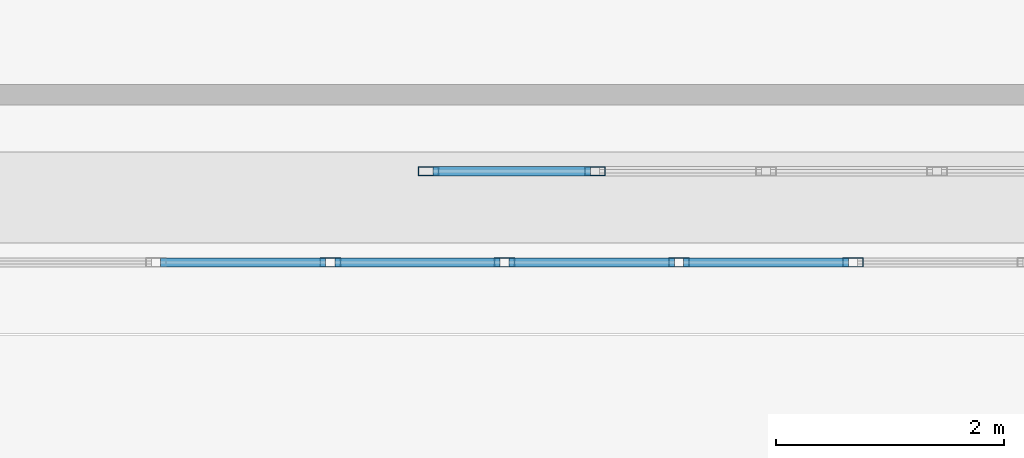
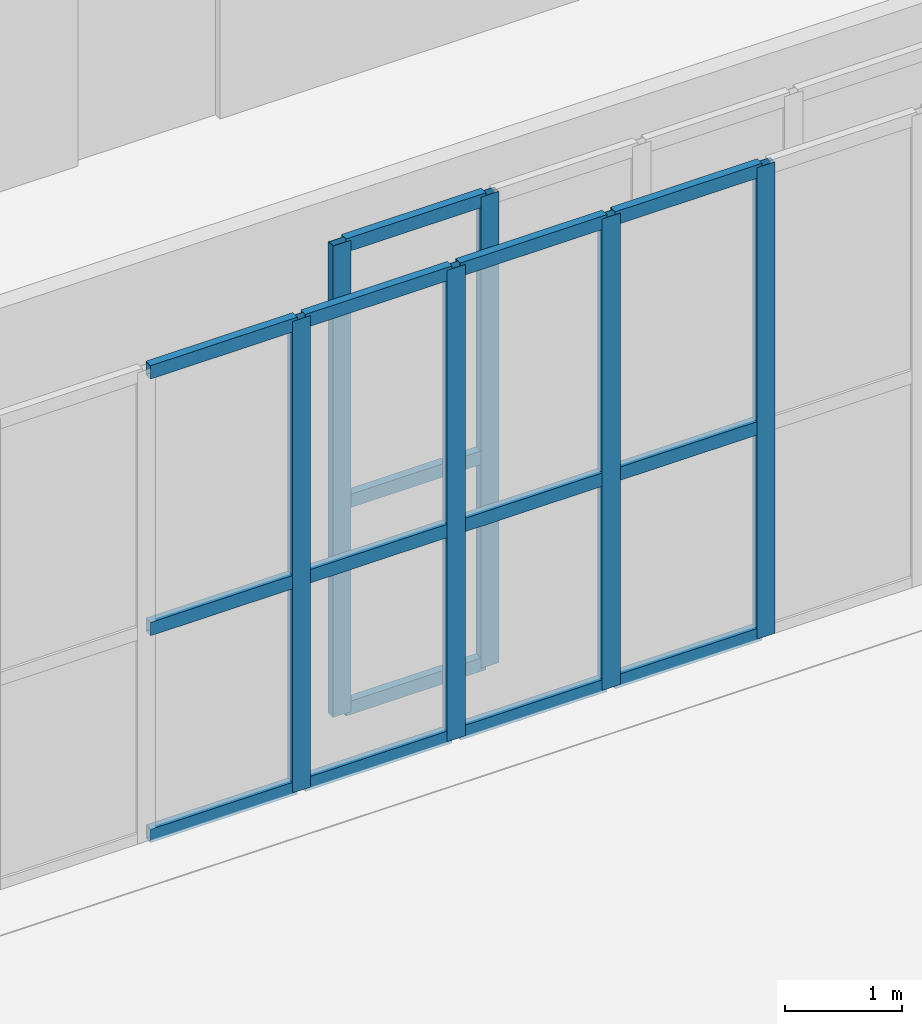
# One storey, part 4 of 30: 21 members, 2 elements without a shape of their own.
"""IFC4 building model written with IfcOpenShell, lengths in metres."""

from ifc_helpers import new_model, si_unit, direction, frame, origin, origin_2d, place, context, subcontext, project, spatial, hollow_rectangle, extrude, material, layer, layer_set, material_profile, profile_set, type_object, element, aggregate, save


model = new_model("IFC4")

# Units and contexts
model_context = context("Model", 3, precision=1e-05, world=origin(), true_north=direction((0.0, 1.0)))
body_context = subcontext(model_context, "Body", "Model", "MODEL_VIEW")
ifc_project = project(units=[si_unit("LENGTHUNIT", "METRE"), si_unit("AREAUNIT", "SQUARE_METRE"), si_unit("VOLUMEUNIT", "CUBIC_METRE"), si_unit("PLANEANGLEUNIT", "RADIAN"), si_unit("MASSUNIT", "GRAM", prefix="KILO")], contexts=[model_context])

# Site, building, storey
site_placement = place(None, origin())
site = spatial("IfcSite", under=ifc_project, at=site_placement, CompositionType="ELEMENT")
building_placement = place(site_placement, origin())
building = spatial("IfcBuilding", under=site, at=building_placement, Name="Solanera Arch Residences", CompositionType="ELEMENT")
storey_placement = place(building_placement, origin())
storey = spatial("IfcBuildingStorey", under=building, at=storey_placement, Name="L00", CompositionType="ELEMENT", Elevation=0.0)

# Curtain wall, members
ifc_material_1 = material(Name="Anodised Aluminium Alloy 6063-T6", Category="aluminium")
ifc_layer = layer(ifc_material_1, 0.179931640625)
ifc_layer_set = layer_set([ifc_layer], Name="Anodised Aluminium Alloy 6063-T6")
curtain_wall_type = type_object("IfcCurtainWallType", Name="CW-1 Arch Portal Unitised Glazing", PredefinedType="USERDEFINED", material=ifc_layer_set)
curtain_wall_1_placement = place(storey_placement, origin())
curtain_wall_1 = element("IfcCurtainWall", 1, at=curtain_wall_1_placement, inside=storey, type_object=curtain_wall_type, Name="L00 Arch Portal Unitised Curtain Wall", ObjectType="CURTAIN_WALL", PredefinedType="USERDEFINED")
ifc_material_2 = material(Name="Anodised Aluminium Alloy 6063-T6", Category="aluminium")
ifc_material_profile_1 = material_profile(ifc_material_2, hollow_rectangle(XDim=0.080078125, YDim=0.179931640625, WallThickness=0.00390625, at=origin_2d()))
ifc_profile_set_1 = profile_set([ifc_material_profile_1], Name="Anodised Aluminium Alloy 6063-T6")
member_type_1 = type_object("IfcMemberType", Name="Curtain Wall Mullion ALU-MUL-80X180", PredefinedType="MULLION", material=ifc_profile_set_1)
member_1_placement = place(storey_placement, frame((25.7646484375, 10.6298828125, 0.0), z_axis=(0.0, 0.0, 1.0), x_axis=(0.0, -1.0, 0.0)))
member_1 = element("IfcMember", 2, at=member_1_placement, type_object=member_type_1, Name="CW-1 mullion 7", PredefinedType="MULLION", context=body_context, shape_type="SweptSolid", body=[
    extrude(hollow_rectangle(XDim=0.080078125, YDim=0.179931640625, WallThickness=0.00390625, at=origin_2d()), origin(), (0.0, 0.0, 1.0), 4.919921875),
])
member_2_placement = place(storey_placement, frame((24.2353515625, 10.6298828125, 0.0), z_axis=(0.0, 0.0, 1.0), x_axis=(0.0, -1.0, 0.0)))
member_2 = element("IfcMember", 3, at=member_2_placement, type_object=member_type_1, Name="CW-1 mullion 8", PredefinedType="MULLION", context=body_context, shape_type="SweptSolid", body=[
    extrude(hollow_rectangle(XDim=0.080078125, YDim=0.179931640625, WallThickness=0.00390625, at=origin_2d()), origin(), (0.0, 0.0, 1.0), 4.919921875),
])
member_3_placement = place(storey_placement, frame((22.7060546875, 10.6298828125, 0.0), z_axis=(0.0, 0.0, 1.0), x_axis=(0.0, -1.0, 0.0)))
member_3 = element("IfcMember", 4, at=member_3_placement, type_object=member_type_1, Name="CW-1 mullion 9", PredefinedType="MULLION", context=body_context, shape_type="SweptSolid", body=[
    extrude(hollow_rectangle(XDim=0.080078125, YDim=0.179931640625, WallThickness=0.00390625, at=origin_2d()), origin(), (0.0, 0.0, 1.0), 4.919921875),
])
member_4_placement = place(storey_placement, frame((21.177001953125, 10.6298828125, 0.0), z_axis=(0.0, 0.0, 1.0), x_axis=(0.0, -1.0, 0.0)))
member_4 = element("IfcMember", 5, at=member_4_placement, type_object=member_type_1, Name="CW-1 mullion 10", PredefinedType="MULLION", context=body_context, shape_type="SweptSolid", body=[
    extrude(hollow_rectangle(XDim=0.080078125, YDim=0.179931640625, WallThickness=0.00390625, at=origin_2d()), origin(), (0.0, 0.0, 1.0), 4.919921875),
])

curtain_wall_2_placement = place(storey_placement, origin())
curtain_wall_2 = element("IfcCurtainWall", 6, at=curtain_wall_2_placement, inside=storey, type_object=curtain_wall_type, Name="L00 Arch Vestibule Windscreen Curtain Wall", ObjectType="CURTAIN_WALL", PredefinedType="USERDEFINED")
member_5_placement = place(storey_placement, frame((23.5, 11.429931640625, 0.0), z_axis=(0.0, 0.0, 1.0), x_axis=(0.0, -1.0, 0.0)))
member_5 = element("IfcMember", 7, at=member_5_placement, type_object=member_type_1, Name="CW-1 mullion 4", PredefinedType="MULLION", context=body_context, shape_type="SweptSolid", body=[
    extrude(hollow_rectangle(XDim=0.080078125, YDim=0.179931640625, WallThickness=0.00390625, at=origin_2d()), origin(), (0.0, 0.0, 1.0), 4.919921875),
])
member_6_placement = place(storey_placement, frame((22.0400390625, 11.429931640625, 0.0), z_axis=(0.0, 0.0, 1.0), x_axis=(0.0, -1.0, 0.0)))
member_6 = element("IfcMember", 8, at=member_6_placement, type_object=member_type_1, Name="CW-1 mullion 5", PredefinedType="MULLION", context=body_context, shape_type="SweptSolid", body=[
    extrude(hollow_rectangle(XDim=0.080078125, YDim=0.179931640625, WallThickness=0.00390625, at=origin_2d()), origin(), (0.0, 0.0, 1.0), 4.919921875),
])

# Member
ifc_material_3 = material(Name="Anodised Aluminium Alloy 6063-T6", Category="aluminium")
ifc_material_profile_2 = material_profile(ifc_material_3, hollow_rectangle(XDim=0.080078125, YDim=0.139892578125, WallThickness=0.00390625, at=origin_2d()))
ifc_profile_set_2 = profile_set([ifc_material_profile_2], Name="Anodised Aluminium Alloy 6063-T6")
member_type_2 = type_object("IfcMemberType", Name="Curtain Wall Transom ALU-TRN-80X140", PredefinedType="USERDEFINED", material=ifc_profile_set_2)
member_7_placement = place(storey_placement, frame((25.724609375, 10.6298828125, 0.0400390625), z_axis=(-1.0, 0.0, 0.0), x_axis=(0.0, -1.0, 0.0)))
member_7 = element("IfcMember", 9, at=member_7_placement, type_object=member_type_2, Name="CW-1 transom 7.1", ObjectType="TRANSOM", PredefinedType="USERDEFINED", context=body_context, shape_type="SweptSolid", body=[
    extrude(hollow_rectangle(XDim=0.080078125, YDim=0.139892578125, WallThickness=0.00390625, at=origin_2d()), origin(), (0.0, 0.0, 1.0), 1.44921875),
])

member_8_placement = place(storey_placement, frame((25.724609375, 10.6298828125, 2.199951171875), z_axis=(-1.0, 0.0, 0.0), x_axis=(0.0, -1.0, 0.0)))
member_8 = element("IfcMember", 10, at=member_8_placement, type_object=member_type_2, Name="CW-1 transom 7.2", ObjectType="TRANSOM", PredefinedType="USERDEFINED", context=body_context, shape_type="SweptSolid", body=[
    extrude(hollow_rectangle(XDim=0.080078125, YDim=0.139892578125, WallThickness=0.00390625, at=origin_2d()), origin(), (0.0, 0.0, 1.0), 1.44921875),
])

member_9_placement = place(storey_placement, frame((25.724609375, 10.6298828125, 4.8798828125), z_axis=(-1.0, 0.0, 0.0), x_axis=(0.0, -1.0, 0.0)))
member_9 = element("IfcMember", 11, at=member_9_placement, type_object=member_type_2, Name="CW-1 transom 7.3", ObjectType="TRANSOM", PredefinedType="USERDEFINED", context=body_context, shape_type="SweptSolid", body=[
    extrude(hollow_rectangle(XDim=0.080078125, YDim=0.139892578125, WallThickness=0.00390625, at=origin_2d()), origin(), (0.0, 0.0, 1.0), 1.44921875),
])

member_10_placement = place(storey_placement, frame((24.1953125, 10.6298828125, 0.0400390625), z_axis=(-1.0, 0.0, 0.0), x_axis=(0.0, -1.0, 0.0)))
member_10 = element("IfcMember", 12, at=member_10_placement, type_object=member_type_2, Name="CW-1 transom 8.1", ObjectType="TRANSOM", PredefinedType="USERDEFINED", context=body_context, shape_type="SweptSolid", body=[
    extrude(hollow_rectangle(XDim=0.080078125, YDim=0.139892578125, WallThickness=0.00390625, at=origin_2d()), origin(), (0.0, 0.0, 1.0), 1.44921875),
])

member_11_placement = place(storey_placement, frame((24.1953125, 10.6298828125, 2.199951171875), z_axis=(-1.0, 0.0, 0.0), x_axis=(0.0, -1.0, 0.0)))
member_11 = element("IfcMember", 13, at=member_11_placement, type_object=member_type_2, Name="CW-1 transom 8.2", ObjectType="TRANSOM", PredefinedType="USERDEFINED", context=body_context, shape_type="SweptSolid", body=[
    extrude(hollow_rectangle(XDim=0.080078125, YDim=0.139892578125, WallThickness=0.00390625, at=origin_2d()), origin(), (0.0, 0.0, 1.0), 1.44921875),
])

member_12_placement = place(storey_placement, frame((24.1953125, 10.6298828125, 4.8798828125), z_axis=(-1.0, 0.0, 0.0), x_axis=(0.0, -1.0, 0.0)))
member_12 = element("IfcMember", 14, at=member_12_placement, type_object=member_type_2, Name="CW-1 transom 8.3", ObjectType="TRANSOM", PredefinedType="USERDEFINED", context=body_context, shape_type="SweptSolid", body=[
    extrude(hollow_rectangle(XDim=0.080078125, YDim=0.139892578125, WallThickness=0.00390625, at=origin_2d()), origin(), (0.0, 0.0, 1.0), 1.44921875),
])

member_13_placement = place(storey_placement, frame((22.666259765625, 10.6298828125, 0.0400390625), z_axis=(-1.0, 0.0, 0.0), x_axis=(0.0, -1.0, 0.0)))
member_13 = element("IfcMember", 15, at=member_13_placement, type_object=member_type_2, Name="CW-1 transom 9.1", ObjectType="TRANSOM", PredefinedType="USERDEFINED", context=body_context, shape_type="SweptSolid", body=[
    extrude(hollow_rectangle(XDim=0.080078125, YDim=0.139892578125, WallThickness=0.00390625, at=origin_2d()), origin(), (0.0, 0.0, 1.0), 1.44921875),
])

member_14_placement = place(storey_placement, frame((22.666259765625, 10.6298828125, 2.199951171875), z_axis=(-1.0, 0.0, 0.0), x_axis=(0.0, -1.0, 0.0)))
member_14 = element("IfcMember", 16, at=member_14_placement, type_object=member_type_2, Name="CW-1 transom 9.2", ObjectType="TRANSOM", PredefinedType="USERDEFINED", context=body_context, shape_type="SweptSolid", body=[
    extrude(hollow_rectangle(XDim=0.080078125, YDim=0.139892578125, WallThickness=0.00390625, at=origin_2d()), origin(), (0.0, 0.0, 1.0), 1.44921875),
])

member_15_placement = place(storey_placement, frame((22.666259765625, 10.6298828125, 4.8798828125), z_axis=(-1.0, 0.0, 0.0), x_axis=(0.0, -1.0, 0.0)))
member_15 = element("IfcMember", 17, at=member_15_placement, type_object=member_type_2, Name="CW-1 transom 9.3", ObjectType="TRANSOM", PredefinedType="USERDEFINED", context=body_context, shape_type="SweptSolid", body=[
    extrude(hollow_rectangle(XDim=0.080078125, YDim=0.139892578125, WallThickness=0.00390625, at=origin_2d()), origin(), (0.0, 0.0, 1.0), 1.44921875),
])

member_16_placement = place(storey_placement, frame((21.136962890625, 10.6298828125, 0.0400390625), z_axis=(-1.0, 0.0, 0.0), x_axis=(0.0, -1.0, 0.0)))
member_16 = element("IfcMember", 18, at=member_16_placement, type_object=member_type_2, Name="CW-1 transom 10.1", ObjectType="TRANSOM", PredefinedType="USERDEFINED", context=body_context, shape_type="SweptSolid", body=[
    extrude(hollow_rectangle(XDim=0.080078125, YDim=0.139892578125, WallThickness=0.00390625, at=origin_2d()), origin(), (0.0, 0.0, 1.0), 1.44921875),
])

member_17_placement = place(storey_placement, frame((21.136962890625, 10.6298828125, 2.199951171875), z_axis=(-1.0, 0.0, 0.0), x_axis=(0.0, -1.0, 0.0)))
member_17 = element("IfcMember", 19, at=member_17_placement, type_object=member_type_2, Name="CW-1 transom 10.2", ObjectType="TRANSOM", PredefinedType="USERDEFINED", context=body_context, shape_type="SweptSolid", body=[
    extrude(hollow_rectangle(XDim=0.080078125, YDim=0.139892578125, WallThickness=0.00390625, at=origin_2d()), origin(), (0.0, 0.0, 1.0), 1.44921875),
])

member_18_placement = place(storey_placement, frame((21.136962890625, 10.6298828125, 4.8798828125), z_axis=(-1.0, 0.0, 0.0), x_axis=(0.0, -1.0, 0.0)))
member_18 = element("IfcMember", 20, at=member_18_placement, type_object=member_type_2, Name="CW-1 transom 10.3", ObjectType="TRANSOM", PredefinedType="USERDEFINED", context=body_context, shape_type="SweptSolid", body=[
    extrude(hollow_rectangle(XDim=0.080078125, YDim=0.139892578125, WallThickness=0.00390625, at=origin_2d()), origin(), (0.0, 0.0, 1.0), 1.44921875),
])

aggregate(curtain_wall_1, [member_1, member_2, member_3, member_4, member_7, member_8, member_9, member_10, member_11, member_12, member_13, member_14, member_15, member_16, member_17, member_18])

member_19_placement = place(storey_placement, frame((23.4599609375, 11.429931640625, 0.0400390625), z_axis=(-1.0, 0.0, 0.0), x_axis=(0.0, -1.0, 0.0)))
member_19 = element("IfcMember", 21, at=member_19_placement, type_object=member_type_2, Name="CW-1 transom 4.1", ObjectType="TRANSOM", PredefinedType="USERDEFINED", context=body_context, shape_type="SweptSolid", body=[
    extrude(hollow_rectangle(XDim=0.080078125, YDim=0.139892578125, WallThickness=0.00390625, at=origin_2d()), origin(), (0.0, 0.0, 1.0), 1.3798828125),
])

member_20_placement = place(storey_placement, frame((23.4599609375, 11.429931640625, 2.199951171875), z_axis=(-1.0, 0.0, 0.0), x_axis=(0.0, -1.0, 0.0)))
member_20 = element("IfcMember", 22, at=member_20_placement, type_object=member_type_2, Name="CW-1 transom 4.2", ObjectType="TRANSOM", PredefinedType="USERDEFINED", context=body_context, shape_type="SweptSolid", body=[
    extrude(hollow_rectangle(XDim=0.080078125, YDim=0.139892578125, WallThickness=0.00390625, at=origin_2d()), origin(), (0.0, 0.0, 1.0), 1.3798828125),
])

member_21_placement = place(storey_placement, frame((23.4599609375, 11.429931640625, 4.8798828125), z_axis=(-1.0, 0.0, 0.0), x_axis=(0.0, -1.0, 0.0)))
member_21 = element("IfcMember", 23, at=member_21_placement, type_object=member_type_2, Name="CW-1 transom 4.3", ObjectType="TRANSOM", PredefinedType="USERDEFINED", context=body_context, shape_type="SweptSolid", body=[
    extrude(hollow_rectangle(XDim=0.080078125, YDim=0.139892578125, WallThickness=0.00390625, at=origin_2d()), origin(), (0.0, 0.0, 1.0), 1.3798828125),
])

aggregate(curtain_wall_2, [member_5, member_6, member_19, member_20, member_21])

save(model, "model.ifc")
